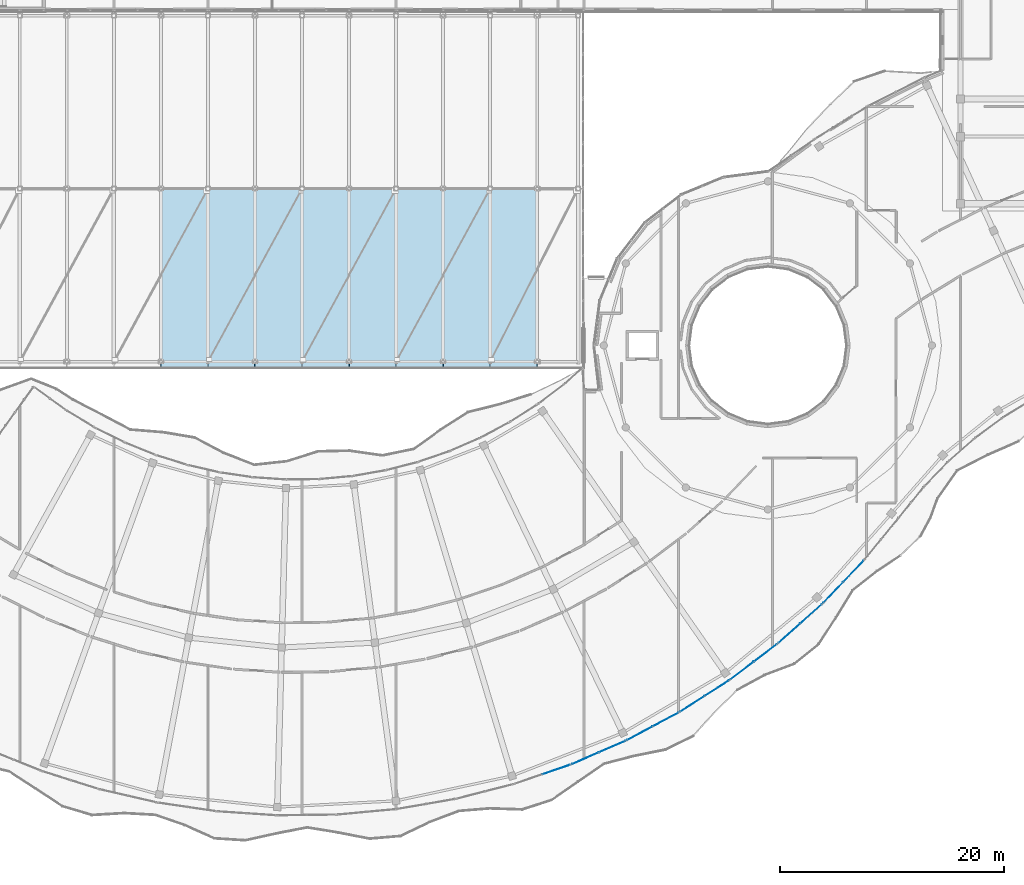
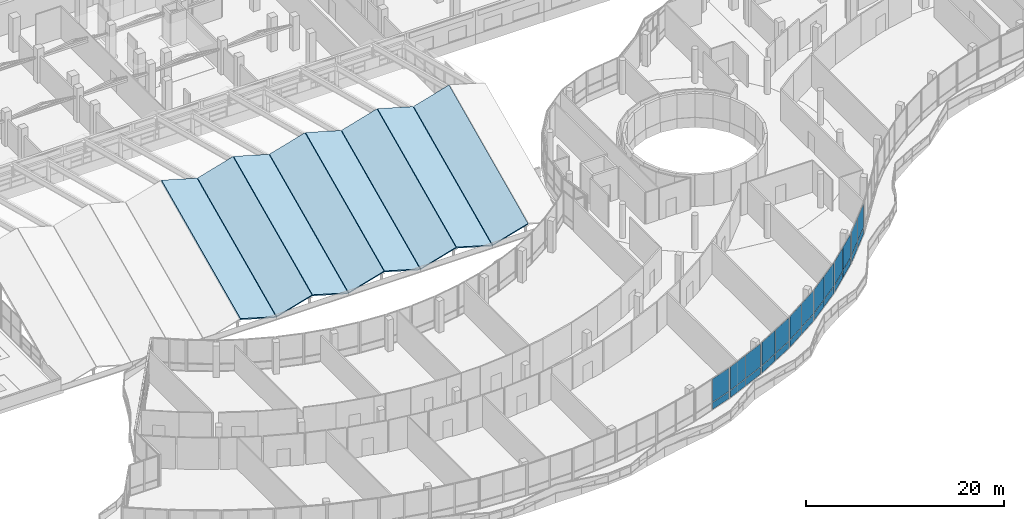
# One storey, part 145 of 184: 26 plates, 8 slabs, 7 elements without a shape of their own.
"""IFC4 building model written with IfcOpenShell, lengths in metres."""

from ifc_helpers import new_model, si_unit, direction, frame, origin, origin_2d, place, context, subcontext, project, spatial, polyline, rectangle, outline, extrude, material, layer, layer_set, type_object, element, aggregate, save


model = new_model("IFC4")

# Units and contexts
model_context = context("Model", 3, precision=1e-05, world=origin(), true_north=direction((0.0, 1.0)))
body_context = subcontext(model_context, "Body", "Model", "MODEL_VIEW")
ifc_project = project(units=[si_unit("LENGTHUNIT", "METRE"), si_unit("AREAUNIT", "SQUARE_METRE"), si_unit("VOLUMEUNIT", "CUBIC_METRE"), si_unit("PLANEANGLEUNIT", "RADIAN"), si_unit("MASSUNIT", "GRAM", prefix="KILO")], contexts=[model_context])

# Site, building, storey
site_placement = place(None, origin())
site = spatial("IfcSite", under=ifc_project, at=site_placement, CompositionType="ELEMENT")
building_placement = place(site_placement, origin())
building = spatial("IfcBuilding", under=site, at=building_placement, Name="Selatvlak General Hospital", CompositionType="ELEMENT")
storey_placement = place(building_placement, frame((0.0, 0.0, 15.0)))
storey = spatial("IfcBuildingStorey", under=building, at=storey_placement, Name="L03", CompositionType="ELEMENT", Elevation=15.0)

# Curtain wall, plates
ifc_material_1 = material(Name="Solar-control Low-E double glazing", Category="glass")
curtain_wall_type_1 = type_object("IfcCurtainWallType", Name="CW-CW-01", PredefinedType="USERDEFINED", material=ifc_material_1)
curtain_wall_1_placement = place(storey_placement, origin())
curtain_wall_1 = element("IfcCurtainWall", 1, at=curtain_wall_1_placement, inside=storey, type_object=curtain_wall_type_1, Name="Glazed facade curtain wall CW-L03-0417", ObjectType="UNITISED CURTAIN WALL", PredefinedType="USERDEFINED")
ifc_layer_1 = layer(ifc_material_1, 0.028076171875, Name="Solar-control Low-E double glazing", Category="glass")
ifc_layer_set_1 = layer_set([ifc_layer_1], Name="Solar-control Low-E double glazing")
plate_type = type_object("IfcPlateType", Name="CWP-01", PredefinedType="CURTAIN_PANEL", material=ifc_layer_set_1)
plate_1_placement = place(storey_placement, frame((105.6435546875, 33.82470703125, 0.06494140625), z_axis=(0.0, 0.0, 1.0), x_axis=(-0.690943452785, -0.722908808256, 0.0)))
plate_1 = element("IfcPlate", 2, at=plate_1_placement, type_object=plate_type, Name="CW-01 panel 1.1", PredefinedType="CURTAIN_PANEL", context=body_context, shape_type="SweptSolid", body=[
    extrude(rectangle(XDim=2.5458984375, YDim=0.028076171875, at=origin_2d()), origin(), (0.0, 0.0, 1.0), 0.8525390625),
])
plate_2_placement = place(storey_placement, frame((105.6435546875, 33.82470703125, 0.982421875), z_axis=(0.0, 0.0, 1.0), x_axis=(-0.690943452785, -0.722908808256, 0.0)))
plate_2 = element("IfcPlate", 3, at=plate_2_placement, type_object=plate_type, Name="CW-01 panel 1.2", PredefinedType="CURTAIN_PANEL", context=body_context, shape_type="SweptSolid", body=[
    extrude(rectangle(XDim=2.5458984375, YDim=0.028076171875, at=origin_2d()), origin(), (0.0, 0.0, 1.0), 2.847412109375),
])
plate_3_placement = place(storey_placement, frame((103.839599609375, 31.937255859375, 0.06494140625), z_axis=(0.0, 0.0, 1.0), x_axis=(-0.690943452785, -0.722908808256, 0.0)))
plate_3 = element("IfcPlate", 4, at=plate_3_placement, type_object=plate_type, Name="CW-01 panel 2.1", PredefinedType="CURTAIN_PANEL", context=body_context, shape_type="SweptSolid", body=[
    extrude(rectangle(XDim=2.5458984375, YDim=0.028076171875, at=origin_2d()), origin(), (0.0, 0.0, 1.0), 0.8525390625),
])
plate_4_placement = place(storey_placement, frame((103.839599609375, 31.937255859375, 0.982421875), z_axis=(0.0, 0.0, 1.0), x_axis=(-0.690943452785, -0.722908808256, 0.0)))
plate_4 = element("IfcPlate", 5, at=plate_4_placement, type_object=plate_type, Name="CW-01 panel 2.2", PredefinedType="CURTAIN_PANEL", context=body_context, shape_type="SweptSolid", body=[
    extrude(rectangle(XDim=2.5458984375, YDim=0.028076171875, at=origin_2d()), origin(), (0.0, 0.0, 1.0), 2.847412109375),
])
aggregate(curtain_wall_1, [plate_1, plate_2, plate_3, plate_4])

curtain_wall_type_2 = type_object("IfcCurtainWallType", Name="CW-CW-02", PredefinedType="USERDEFINED", material=ifc_material_1)
curtain_wall_2_placement = place(storey_placement, origin())
curtain_wall_2 = element("IfcCurtainWall", 6, at=curtain_wall_2_placement, inside=storey, type_object=curtain_wall_type_2, Name="Glazed facade curtain wall CW-L03-0418", ObjectType="UNITISED CURTAIN WALL", PredefinedType="USERDEFINED")
plate_5_placement = place(storey_placement, frame((101.858642578125, 30.025634765625, 0.06494140625), z_axis=(0.0, 0.0, 1.0), x_axis=(-0.746343691417, -0.665560736735, 0.0)))
plate_5 = element("IfcPlate", 7, at=plate_5_placement, type_object=plate_type, Name="CW-02 panel 1.1", PredefinedType="CURTAIN_PANEL", context=body_context, shape_type="SweptSolid", body=[
    extrude(rectangle(XDim=2.54541015625, YDim=0.028076171875, at=origin_2d()), origin(), (0.0, 0.0, 1.0), 0.8525390625),
])
plate_6_placement = place(storey_placement, frame((101.858642578125, 30.025634765625, 0.982421875), z_axis=(0.0, 0.0, 1.0), x_axis=(-0.746343691417, -0.665560736735, 0.0)))
plate_6 = element("IfcPlate", 8, at=plate_6_placement, type_object=plate_type, Name="CW-02 panel 1.2", PredefinedType="CURTAIN_PANEL", context=body_context, shape_type="SweptSolid", body=[
    extrude(rectangle(XDim=2.54541015625, YDim=0.028076171875, at=origin_2d()), origin(), (0.0, 0.0, 1.0), 2.847412109375),
])
plate_7_placement = place(storey_placement, frame((99.910400390625, 28.288330078125, 0.06494140625), z_axis=(0.0, 0.0, 1.0), x_axis=(-0.746343691417, -0.665560736735, 0.0)))
plate_7 = element("IfcPlate", 9, at=plate_7_placement, type_object=plate_type, Name="CW-02 panel 2.1", PredefinedType="CURTAIN_PANEL", context=body_context, shape_type="SweptSolid", body=[
    extrude(rectangle(XDim=2.54541015625, YDim=0.028076171875, at=origin_2d()), origin(), (0.0, 0.0, 1.0), 0.8525390625),
])
plate_8_placement = place(storey_placement, frame((99.910400390625, 28.288330078125, 0.982421875), z_axis=(0.0, 0.0, 1.0), x_axis=(-0.746343691417, -0.665560736735, 0.0)))
plate_8 = element("IfcPlate", 10, at=plate_8_placement, type_object=plate_type, Name="CW-02 panel 2.2", PredefinedType="CURTAIN_PANEL", context=body_context, shape_type="SweptSolid", body=[
    extrude(rectangle(XDim=2.54541015625, YDim=0.028076171875, at=origin_2d()), origin(), (0.0, 0.0, 1.0), 2.847412109375),
])
aggregate(curtain_wall_2, [plate_5, plate_6, plate_7, plate_8])

curtain_wall_3_placement = place(storey_placement, origin())
curtain_wall_3 = element("IfcCurtainWall", 11, at=curtain_wall_3_placement, inside=storey, type_object=curtain_wall_type_1, Name="Glazed facade curtain wall CW-L03-0419", ObjectType="UNITISED CURTAIN WALL", PredefinedType="USERDEFINED")
plate_9_placement = place(storey_placement, frame((97.782958984375, 26.5400390625, 0.06494140625), z_axis=(0.0, 0.0, 1.0), x_axis=(-0.796537386874, -0.60458927489, 0.0)))
plate_9 = element("IfcPlate", 12, at=plate_9_placement, type_object=plate_type, Name="CW-01 panel 1.1", PredefinedType="CURTAIN_PANEL", context=body_context, shape_type="SweptSolid", body=[
    extrude(rectangle(XDim=2.54638671875, YDim=0.028076171875, at=origin_2d()), origin(), (0.0, 0.0, 1.0), 0.8525390625),
])
plate_10_placement = place(storey_placement, frame((97.782958984375, 26.5400390625, 0.982421875), z_axis=(0.0, 0.0, 1.0), x_axis=(-0.796537386874, -0.60458927489, 0.0)))
plate_10 = element("IfcPlate", 13, at=plate_10_placement, type_object=plate_type, Name="CW-01 panel 1.2", PredefinedType="CURTAIN_PANEL", context=body_context, shape_type="SweptSolid", body=[
    extrude(rectangle(XDim=2.54638671875, YDim=0.028076171875, at=origin_2d()), origin(), (0.0, 0.0, 1.0), 2.847412109375),
])
plate_11_placement = place(storey_placement, frame((95.702880859375, 24.961181640625, 0.06494140625), z_axis=(0.0, 0.0, 1.0), x_axis=(-0.796537386874, -0.60458927489, 0.0)))
plate_11 = element("IfcPlate", 14, at=plate_11_placement, type_object=plate_type, Name="CW-01 panel 2.1", PredefinedType="CURTAIN_PANEL", context=body_context, shape_type="SweptSolid", body=[
    extrude(rectangle(XDim=2.54638671875, YDim=0.028076171875, at=origin_2d()), origin(), (0.0, 0.0, 1.0), 0.8525390625),
])
plate_12_placement = place(storey_placement, frame((95.702880859375, 24.961181640625, 0.982421875), z_axis=(0.0, 0.0, 1.0), x_axis=(-0.796537386874, -0.60458927489, 0.0)))
plate_12 = element("IfcPlate", 15, at=plate_12_placement, type_object=plate_type, Name="CW-01 panel 2.2", PredefinedType="CURTAIN_PANEL", context=body_context, shape_type="SweptSolid", body=[
    extrude(rectangle(XDim=2.54638671875, YDim=0.028076171875, at=origin_2d()), origin(), (0.0, 0.0, 1.0), 2.847412109375),
])
aggregate(curtain_wall_3, [plate_9, plate_10, plate_11, plate_12])

curtain_wall_4_placement = place(storey_placement, origin())
curtain_wall_4 = element("IfcCurtainWall", 16, at=curtain_wall_4_placement, inside=storey, type_object=curtain_wall_type_2, Name="Glazed facade curtain wall CW-L03-0420", ObjectType="UNITISED CURTAIN WALL", PredefinedType="USERDEFINED")
plate_13_placement = place(storey_placement, frame((93.443115234375, 23.38671875, 0.06494140625), z_axis=(0.0, 0.0, 1.0), x_axis=(-0.842264530381, -0.539064431086, 0.0)))
plate_13 = element("IfcPlate", 17, at=plate_13_placement, type_object=plate_type, Name="CW-02 panel 1.1", PredefinedType="CURTAIN_PANEL", context=body_context, shape_type="SweptSolid", body=[
    extrude(rectangle(XDim=2.5458984375, YDim=0.028076171875, at=origin_2d()), origin(), (0.0, 0.0, 1.0), 0.8525390625),
])
plate_14_placement = place(storey_placement, frame((93.443115234375, 23.38671875, 0.982421875), z_axis=(0.0, 0.0, 1.0), x_axis=(-0.842264530381, -0.539064431086, 0.0)))
plate_14 = element("IfcPlate", 18, at=plate_14_placement, type_object=plate_type, Name="CW-02 panel 1.2", PredefinedType="CURTAIN_PANEL", context=body_context, shape_type="SweptSolid", body=[
    extrude(rectangle(XDim=2.5458984375, YDim=0.028076171875, at=origin_2d()), origin(), (0.0, 0.0, 1.0), 2.847412109375),
])
plate_15_placement = place(storey_placement, frame((91.243896484375, 21.979248046875, 0.06494140625), z_axis=(0.0, 0.0, 1.0), x_axis=(-0.842264530381, -0.539064431086, 0.0)))
plate_15 = element("IfcPlate", 19, at=plate_15_placement, type_object=plate_type, Name="CW-02 panel 2.1", PredefinedType="CURTAIN_PANEL", context=body_context, shape_type="SweptSolid", body=[
    extrude(rectangle(XDim=2.5458984375, YDim=0.028076171875, at=origin_2d()), origin(), (0.0, 0.0, 1.0), 0.8525390625),
])
plate_16_placement = place(storey_placement, frame((91.243896484375, 21.979248046875, 0.982421875), z_axis=(0.0, 0.0, 1.0), x_axis=(-0.842264530381, -0.539064431086, 0.0)))
plate_16 = element("IfcPlate", 20, at=plate_16_placement, type_object=plate_type, Name="CW-02 panel 2.2", PredefinedType="CURTAIN_PANEL", context=body_context, shape_type="SweptSolid", body=[
    extrude(rectangle(XDim=2.5458984375, YDim=0.028076171875, at=origin_2d()), origin(), (0.0, 0.0, 1.0), 2.847412109375),
])
aggregate(curtain_wall_4, [plate_13, plate_14, plate_15, plate_16])

curtain_wall_5_placement = place(storey_placement, origin())
curtain_wall_5 = element("IfcCurtainWall", 21, at=curtain_wall_5_placement, inside=storey, type_object=curtain_wall_type_1, Name="Glazed facade curtain wall CW-L03-0421", ObjectType="UNITISED CURTAIN WALL", PredefinedType="USERDEFINED")
plate_17_placement = place(storey_placement, frame((88.866943359375, 20.58984375, 0.06494140625), z_axis=(0.0, 0.0, 1.0), x_axis=(-0.882426269162, -0.470450719515, 0.0)))
plate_17 = element("IfcPlate", 22, at=plate_17_placement, type_object=plate_type, Name="CW-01 panel 1.1", PredefinedType="CURTAIN_PANEL", context=body_context, shape_type="SweptSolid", body=[
    extrude(rectangle(XDim=2.544677734375, YDim=0.028076171875, at=origin_2d()), origin(), (0.0, 0.0, 1.0), 0.8525390625),
])
plate_18_placement = place(storey_placement, frame((88.866943359375, 20.58984375, 0.982421875), z_axis=(0.0, 0.0, 1.0), x_axis=(-0.882426269162, -0.470450719515, 0.0)))
plate_18 = element("IfcPlate", 23, at=plate_18_placement, type_object=plate_type, Name="CW-01 panel 1.2", PredefinedType="CURTAIN_PANEL", context=body_context, shape_type="SweptSolid", body=[
    extrude(rectangle(XDim=2.544677734375, YDim=0.028076171875, at=origin_2d()), origin(), (0.0, 0.0, 1.0), 2.847412109375),
])
plate_19_placement = place(storey_placement, frame((86.564208984375, 19.362060546875, 0.06494140625), z_axis=(0.0, 0.0, 1.0), x_axis=(-0.882426269162, -0.470450719515, 0.0)))
plate_19 = element("IfcPlate", 24, at=plate_19_placement, type_object=plate_type, Name="CW-01 panel 2.1", PredefinedType="CURTAIN_PANEL", context=body_context, shape_type="SweptSolid", body=[
    extrude(rectangle(XDim=2.544677734375, YDim=0.028076171875, at=origin_2d()), origin(), (0.0, 0.0, 1.0), 0.8525390625),
])
plate_20_placement = place(storey_placement, frame((86.564208984375, 19.362060546875, 0.982421875), z_axis=(0.0, 0.0, 1.0), x_axis=(-0.882426269162, -0.470450719515, 0.0)))
plate_20 = element("IfcPlate", 25, at=plate_20_placement, type_object=plate_type, Name="CW-01 panel 2.2", PredefinedType="CURTAIN_PANEL", context=body_context, shape_type="SweptSolid", body=[
    extrude(rectangle(XDim=2.544677734375, YDim=0.028076171875, at=origin_2d()), origin(), (0.0, 0.0, 1.0), 2.847412109375),
])
aggregate(curtain_wall_5, [plate_17, plate_18, plate_19, plate_20])

curtain_wall_6_placement = place(storey_placement, origin())
curtain_wall_6 = element("IfcCurtainWall", 26, at=curtain_wall_6_placement, inside=storey, type_object=curtain_wall_type_2, Name="Glazed facade curtain wall CW-L03-0422", ObjectType="UNITISED CURTAIN WALL", PredefinedType="USERDEFINED")
plate_21_placement = place(storey_placement, frame((84.083984375, 18.16552734375, 0.06494140625), z_axis=(0.0, 0.0, 1.0), x_axis=(-0.916781197822, -0.399389828763, 0.0)))
plate_21 = element("IfcPlate", 27, at=plate_21_placement, type_object=plate_type, Name="CW-02 panel 1.1", PredefinedType="CURTAIN_PANEL", context=body_context, shape_type="SweptSolid", body=[
    extrude(rectangle(XDim=2.546630859375, YDim=0.028076171875, at=origin_2d()), origin(), (0.0, 0.0, 1.0), 0.8525390625),
])
plate_22_placement = place(storey_placement, frame((84.083984375, 18.16552734375, 0.982421875), z_axis=(0.0, 0.0, 1.0), x_axis=(-0.916781197822, -0.399389828763, 0.0)))
plate_22 = element("IfcPlate", 28, at=plate_22_placement, type_object=plate_type, Name="CW-02 panel 1.2", PredefinedType="CURTAIN_PANEL", context=body_context, shape_type="SweptSolid", body=[
    extrude(rectangle(XDim=2.546630859375, YDim=0.028076171875, at=origin_2d()), origin(), (0.0, 0.0, 1.0), 2.847412109375),
])
plate_23_placement = place(storey_placement, frame((81.68994140625, 17.12255859375, 0.06494140625), z_axis=(0.0, 0.0, 1.0), x_axis=(-0.916781197822, -0.399389828763, 0.0)))
plate_23 = element("IfcPlate", 29, at=plate_23_placement, type_object=plate_type, Name="CW-02 panel 2.1", PredefinedType="CURTAIN_PANEL", context=body_context, shape_type="SweptSolid", body=[
    extrude(rectangle(XDim=2.546630859375, YDim=0.028076171875, at=origin_2d()), origin(), (0.0, 0.0, 1.0), 0.8525390625),
])
plate_24_placement = place(storey_placement, frame((81.68994140625, 17.12255859375, 0.982421875), z_axis=(0.0, 0.0, 1.0), x_axis=(-0.916781197822, -0.399389828763, 0.0)))
plate_24 = element("IfcPlate", 30, at=plate_24_placement, type_object=plate_type, Name="CW-02 panel 2.2", PredefinedType="CURTAIN_PANEL", context=body_context, shape_type="SweptSolid", body=[
    extrude(rectangle(XDim=2.546630859375, YDim=0.028076171875, at=origin_2d()), origin(), (0.0, 0.0, 1.0), 2.847412109375),
])
aggregate(curtain_wall_6, [plate_21, plate_22, plate_23, plate_24])

curtain_wall_7_placement = place(storey_placement, origin())
curtain_wall_7 = element("IfcCurtainWall", 31, at=curtain_wall_7_placement, inside=storey, type_object=curtain_wall_type_1, Name="Glazed facade curtain wall CW-L03-0423", ObjectType="UNITISED CURTAIN WALL", PredefinedType="USERDEFINED")
plate_25_placement = place(storey_placement, frame((79.121826171875, 16.12646484375, 0.06494140625), z_axis=(0.0, 0.0, 1.0), x_axis=(-0.945848129563, -0.324609481996, 0.0)))
plate_25 = element("IfcPlate", 32, at=plate_25_placement, type_object=plate_type, Name="CW-01 panel 1.1", PredefinedType="CURTAIN_PANEL", context=body_context, shape_type="SweptSolid", body=[
    extrude(rectangle(XDim=2.547119140625, YDim=0.028076171875, at=origin_2d()), origin(), (0.0, 0.0, 1.0), 0.8525390625),
])
plate_26_placement = place(storey_placement, frame((79.121826171875, 16.12646484375, 0.982421875), z_axis=(0.0, 0.0, 1.0), x_axis=(-0.945848129563, -0.324609481996, 0.0)))
plate_26 = element("IfcPlate", 33, at=plate_26_placement, type_object=plate_type, Name="CW-01 panel 1.2", PredefinedType="CURTAIN_PANEL", context=body_context, shape_type="SweptSolid", body=[
    extrude(rectangle(XDim=2.547119140625, YDim=0.028076171875, at=origin_2d()), origin(), (0.0, 0.0, 1.0), 2.847412109375),
])
aggregate(curtain_wall_7, [plate_25, plate_26])

# Slabs
ifc_material_2 = material(Name="Concrete C40/50", Category="concrete")
ifc_layer_2 = layer(ifc_material_2, 0.219970703125, Name="Concrete C40/50", Category="concrete")
ifc_layer_set_2 = layer_set([ifc_layer_2], Name="Concrete C40/50")
slab_type_1 = type_object("IfcSlabType", Name="SLAB-SL-FP1", PredefinedType="ROOF", material=ifc_layer_set_2)
slab_1_placement = place(storey_placement, frame((48.02490234375, 52.0, 0.0), z_axis=(-0.253790313154, -0.406555972963, 0.877668911263), x_axis=(0.960644912925, -1.0082388e-05, 0.277779320992)))
element("IfcSlab", 34, at=slab_1_placement, inside=storey, type_object=slab_type_1, Name="Folded-plate roof facet RF-FP-13", PredefinedType="ROOF", context=body_context, shape_type="SweptSolid", body=[
    extrude(outline(polyline([(0.0, 0.0), (4.320138729853007, 0.0), (6.37558532838226, 17.485452593114317), (2.0553787813122137, 17.48535724192143), (0.0, 0.0)])), origin(), (0.0, 0.0, -1.0), 0.219970703125),
])
slab_2_placement = place(storey_placement, frame((56.425048828125, 52.0, 0.0), z_axis=(-0.253804282001, -0.406554432387, 0.877665585485), x_axis=(0.960640552029, -1.0082859e-05, 0.277794401843)))
element("IfcSlab", 35, at=slab_2_placement, inside=storey, type_object=slab_type_1, Name="Folded-plate roof facet RF-FP-17", PredefinedType="ROOF", context=body_context, shape_type="SweptSolid", body=[
    extrude(outline(polyline([(0.0, 0.0), (4.319904196399222, -1.6653345369377348e-16), (6.3754623879101295, 17.485439474796337), (2.0554903706120196, 17.485344124397553), (0.0, 0.0)])), origin(), (0.0, 0.0, -1.0), 0.219970703125),
])
slab_3_placement = place(storey_placement, frame((64.824951171875, 52.0, 0.0), z_axis=(-0.253790313154, -0.406555972963, 0.877668911263), x_axis=(0.960644912925, -1.0082388e-05, 0.277779320992)))
element("IfcSlab", 36, at=slab_3_placement, inside=storey, type_object=slab_type_1, Name="Folded-plate roof facet RF-FP-21", PredefinedType="ROOF", context=body_context, shape_type="SweptSolid", body=[
    extrude(outline(polyline([(0.0, 0.0), (4.320138729853007, 0.0), (6.37558532838226, 17.485452593114317), (2.0553787813122137, 17.48535724192143), (0.0, 0.0)])), origin(), (0.0, 0.0, -1.0), 0.219970703125),
])
slab_4_placement = place(storey_placement, frame((73.22509765625, 52.0, 0.0), z_axis=(-0.253804282001, -0.406554432387, 0.877665585485), x_axis=(0.960640552029, -1.0082859e-05, 0.277794401843)))
element("IfcSlab", 37, at=slab_4_placement, inside=storey, type_object=slab_type_1, Name="Folded-plate roof facet RF-FP-25", PredefinedType="ROOF", context=body_context, shape_type="SweptSolid", body=[
    extrude(outline(polyline([(0.0, 0.0), (4.319904196399222, -1.6653345369377348e-16), (6.3754623879101295, 17.485439474796337), (2.0554903706120196, 17.485344124397553), (0.0, 0.0)])), origin(), (0.0, 0.0, -1.0), 0.219970703125),
])
ifc_layer_3 = layer(ifc_material_2, 0.2119140625, Name="Concrete C40/50", Category="concrete")
ifc_layer_set_3 = layer_set([ifc_layer_3], Name="Concrete C40/50")
slab_type_2 = type_object("IfcSlabType", Name="SLAB-SL-FP2", PredefinedType="ROOF", material=ifc_layer_set_3)
slab_5_placement = place(storey_placement, frame((43.824951171875, 52.0, 1.199951171875), z_axis=(0.253790313154, -0.406555972963, 0.877668911263), x_axis=(0.960644912925, 1.0082388e-05, -0.277779320992)))
element("IfcSlab", 38, at=slab_5_placement, inside=storey, type_object=slab_type_2, Name="Folded-plate roof facet RF-FP-11", PredefinedType="ROOF", context=body_context, shape_type="SweptSolid", body=[
    extrude(outline(polyline([(0.0, 0.0), (4.320138729853007, 0.0), (2.2647599485407937, 17.48535724192143), (-2.0554465985292527, 17.485452593114317), (0.0, 0.0)])), origin(), (0.0, 0.0, -1.0), 0.2119140625),
])
for number, where, z_axis, x_axis, name in (
    (39, (52.22509765625, 52.0, 1.199951171875), (0.253804282001, -0.406554432387, 0.877665585485), (0.960640552029, 1.0082859e-05, -0.277794401843), "Folded-plate roof facet RF-FP-15"),
    (40, (60.625, 52.0, 1.199951171875), (0.253804282001, -0.406554432387, 0.877665585485), (0.960640552029, 1.0082859e-05, -0.277794401843), "Folded-plate roof facet RF-FP-19"),
):
    element("IfcSlab", number, at=place(storey_placement, frame(where, z_axis=z_axis, x_axis=x_axis)), inside=storey, type_object=slab_type_2, Name=name, PredefinedType="ROOF", context=body_context, shape_type="SweptSolid", body=[
        extrude(outline(polyline([(0.0, 0.0), (4.319904196399222, 1.6653345369377348e-16), (2.2644138257872024, 17.485344124397553), (-2.055558191510907, 17.48543947479634), (0.0, 0.0)])), origin(), (0.0, 0.0, -1.0), 0.2119140625),
    ])
slab_6_placement = place(storey_placement, frame((69.02490234375, 52.0, 1.199951171875), z_axis=(0.253790313154, -0.406555972963, 0.877668911263), x_axis=(0.960644912925, 1.0082388e-05, -0.277779320992)))
element("IfcSlab", 41, at=slab_6_placement, inside=storey, type_object=slab_type_2, Name="Folded-plate roof facet RF-FP-23", PredefinedType="ROOF", context=body_context, shape_type="SweptSolid", body=[
    extrude(outline(polyline([(0.0, 0.0), (4.320138729853007, 0.0), (2.2647599485407937, 17.48535724192143), (-2.0554465985292527, 17.485452593114317), (0.0, 0.0)])), origin(), (0.0, 0.0, -1.0), 0.2119140625),
])

save(model, "model.ifc")
